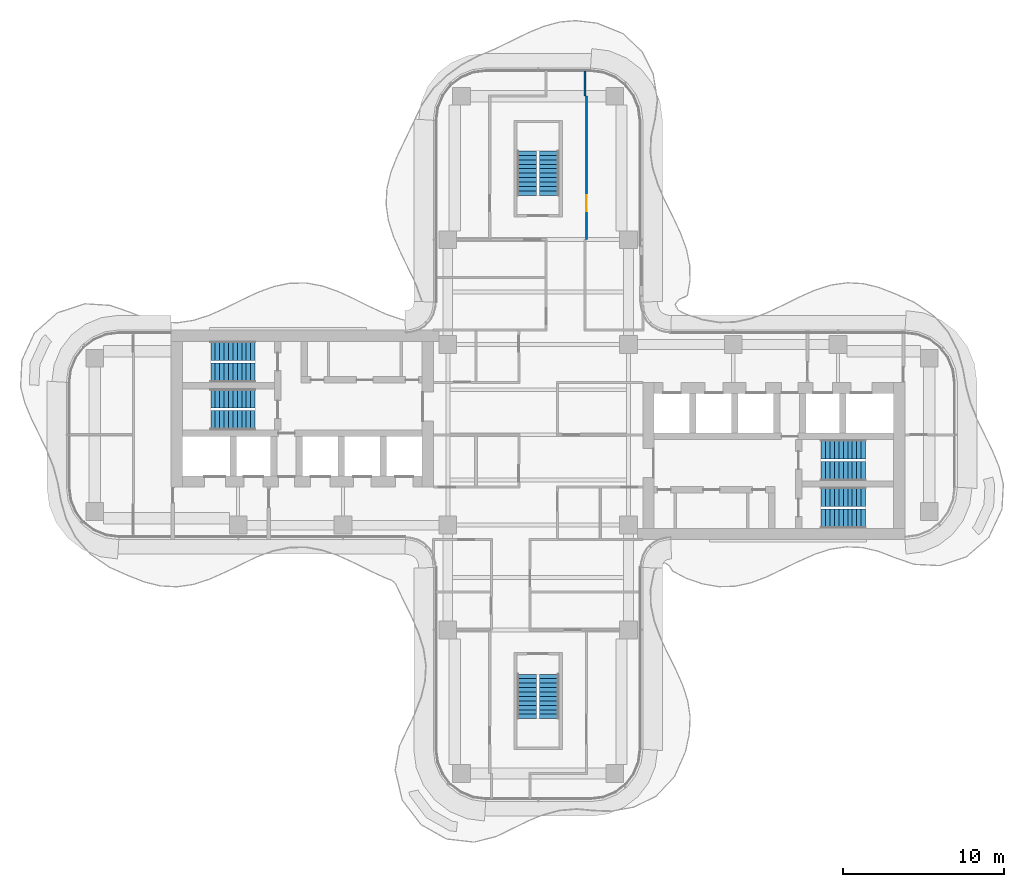
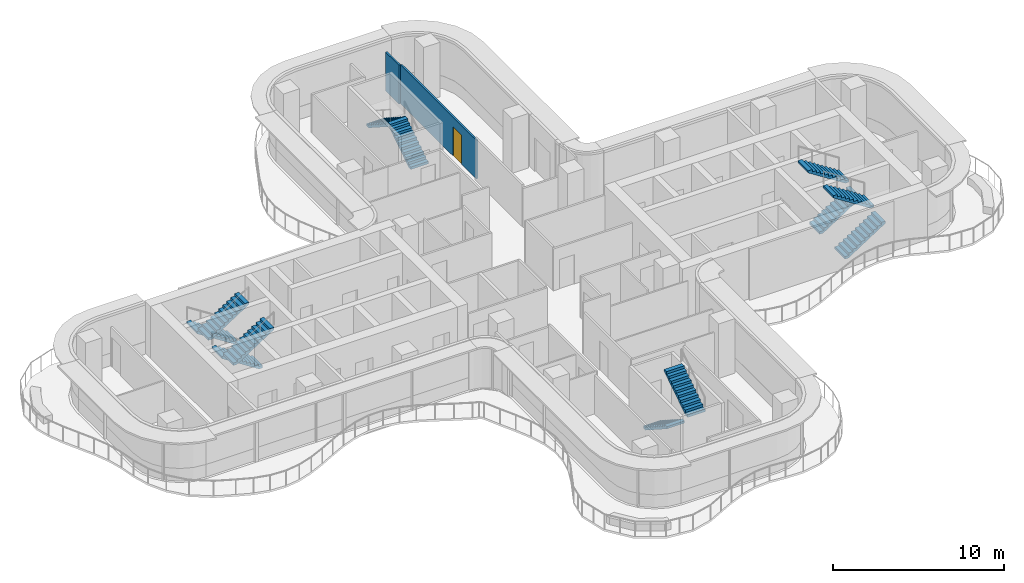
# One storey, part 15 of 17: 12 stair flights, 2 walls, 1 door, 1 opening, 6 elements without a shape of their own.
"""IFC4 building model written with IfcOpenShell, lengths in metres."""

from ifc_helpers import new_model, si_unit, direction, frame, frame_2d, origin, place, context, subcontext, project, spatial, polyline, rectangle, outline, extrude, source, transform, mapped, material, layer, layer_set, type_object, element, fill, aggregate, save


model = new_model("IFC4")

# Units and contexts
model_context = context("Model", 3, precision=1e-05, world=origin(), true_north=direction((0.0, 1.0)))
body_context = subcontext(model_context, "Body", "Model", "MODEL_VIEW")
ifc_project = project(units=[si_unit("LENGTHUNIT", "METRE"), si_unit("AREAUNIT", "SQUARE_METRE"), si_unit("VOLUMEUNIT", "CUBIC_METRE"), si_unit("PLANEANGLEUNIT", "RADIAN"), si_unit("MASSUNIT", "GRAM", prefix="KILO")], contexts=[model_context])

# Site, building, storey
site_placement = place(None, origin())
site = spatial("IfcSite", under=ifc_project, at=site_placement, CompositionType="ELEMENT")
building_placement = place(site_placement, origin())
building = spatial("IfcBuilding", under=site, at=building_placement, Name="Trellis Farm Tower", CompositionType="ELEMENT")
storey_placement = place(building_placement, frame((0.0, 0.0, 259.699951171875)))
storey = spatial("IfcBuildingStorey", under=building, at=storey_placement, Name="L58", CompositionType="ELEMENT", Elevation=259.699951171875)

# Wall
ifc_material_1 = material(Name="Plasterboard on steel studs, mineral wool", Category="steel")
ifc_layer = layer(ifc_material_1, 0.125)
ifc_layer_set = layer_set([ifc_layer], Name="PARTITION 125 STUD EI 60")
wall_type = type_object("IfcWallType", Name="PARTITION 125 STUD EI 60", PredefinedType="PARTITIONING", material=ifc_layer_set)
shared_shape_1 = source(origin(), body_context, "Body", "SweptSolid", [
    extrude(rectangle(XDim=1.550048828125, YDim=0.125, at=frame_2d((0.77490234375, 0.0))), origin(), (0.0, 0.0, 1.0), 2.780029296875),
])
wall_1_placement = place(storey_placement, frame((2.89990234375, 22.550048828125, 0.0), z_axis=(0.0, 0.0, 1.0), x_axis=(0.0, -1.0, 0.0)))
element("IfcWall", 1, at=wall_1_placement, inside=storey, type_object=wall_type, Name="Partition PW1", PredefinedType="PARTITIONING", context=body_context, shape_type="MappedRepresentation", body=[
    mapped(shared_shape_1, transform((0.0, 0.0, 0.0))),
])

# Wall, opening, door
shared_shape_2 = source(origin(), body_context, "Body", "SweptSolid", [
    extrude(rectangle(XDim=8.89990234375, YDim=0.125, at=frame_2d((4.449951171875, 0.0))), origin(), (0.0, 0.0, 1.0), 2.780029296875),
])
wall_2_placement = place(storey_placement, frame((3.0, 21.0, 0.0), z_axis=(0.0, 0.0, 1.0), x_axis=(0.0, -1.0, 0.0)))
wall_2 = element("IfcWall", 2, at=wall_2_placement, inside=storey, type_object=wall_type, Name="Partition PW1", PredefinedType="PARTITIONING", context=body_context, shape_type="MappedRepresentation", body=[
    mapped(shared_shape_2, transform((0.0, 0.0, 0.0))),
])
shared_shape_3 = source(origin(), body_context, "Body", "SweptSolid", [
    extrude(rectangle(XDim=1.0, YDim=2.10009765625, at=frame_2d((0.5, 1.050048828125))), frame((0.0, 0.072509765625, 0.0), z_axis=(0.0, -1.0, 0.0), x_axis=(1.0, 0.0, 0.0)), (0.0, 0.0, 1.0), 0.14501953125),
])
opening_placement = place(wall_2_placement, frame((6.14990234375, 0.0, 0.0)))
opening = element("IfcOpeningElement", 3, at=opening_placement, cuts=wall_2, Name="Opening D116", PredefinedType="OPENING", context=body_context, shape_type="MappedRepresentation", body=[
    mapped(shared_shape_3, transform((0.0, 0.0, 0.0))),
])
ifc_material_2 = material(Name="Fire-rated timber door leaf in a hollow metal frame", Category="wood")
door_type = type_object("IfcDoorType", Name="DOOR 1000x2100 FD30S", OperationType="NOTDEFINED", PredefinedType="DOOR", material=ifc_material_2)
shared_shape_4 = source(origin(), body_context, "Body", "SweptSolid", [
    extrude(rectangle(XDim=1.0, YDim=2.10009765625, at=frame_2d((0.5, 1.050048828125))), frame((0.0, 0.02490234375, 0.0), z_axis=(0.0, -1.0, 0.0), x_axis=(1.0, 0.0, 0.0)), (0.0, 0.0, 1.0), 0.050048828125),
])
door_placement = place(opening_placement, origin())
door = element("IfcDoor", 4, at=door_placement, inside=storey, type_object=door_type, Name="Door D116", OperationType="SINGLE_SWING_RIGHT", OverallHeight=2.10009765625, OverallWidth=1.0, PredefinedType="DOOR", context=body_context, shape_type="MappedRepresentation", body=[
    mapped(shared_shape_4, transform((0.0, 0.0, 0.0))),
])
fill(opening, door)

# Stair, stair flights
ifc_material_3 = material(Name="Concrete C50/60", Category="concrete")
stair_type = type_object("IfcStairType", Name="CORE EXIT STAIR 22 RISERS 177 MM", PredefinedType="HALF_TURN_STAIR", material=ifc_material_3)
placement = place(storey_placement, origin())
stair_1 = element("IfcStair", 5, at=placement, inside=storey, type_object=stair_type, Name="Exit stair N", PredefinedType="HALF_TURN_STAIR")
stair_flight_type = type_object("IfcStairFlightType", Name="STAIR FLIGHT 11 RISERS 177 MM", PredefinedType="STRAIGHT", material=ifc_material_3)
shared_shape_5 = source(origin(), body_context, "Body", "SweptSolid", [
    extrude(outline(polyline([(0.0, 0.0), (0.0, 0.17724609375), (0.27490234375, 0.17724609375), (0.27490234375, 0.3544921875), (0.550048828125, 0.3544921875), (0.550048828125, 0.53173828125), (0.824951171875, 0.53173828125), (0.824951171875, 0.708984375), (1.10009765625, 0.708984375), (1.10009765625, 0.886474609375), (1.375, 0.886474609375), (1.375, 1.063720703125), (1.64990234375, 1.063720703125), (1.64990234375, 1.240966796875), (1.925048828125, 1.240966796875), (1.925048828125, 1.418212890625), (2.199951171875, 1.418212890625), (2.199951171875, 1.595458984375), (2.47509765625, 1.595458984375), (2.47509765625, 1.772705078125), (2.75, 1.772705078125), (2.75, 1.949951171875), (2.75, 1.6181640625), (0.23974609375, 0.0), (0.0, 0.0)])), frame((0.0, 0.60009765625, 0.0), z_axis=(0.0, -1.0, 0.0), x_axis=(1.0, 0.0, 0.0)), (0.0, 0.0, 1.0), 1.199951171875),
])
stair_flight_1_placement = place(storey_placement, frame((0.699951171875, 14.85009765625, 0.0), z_axis=(0.0, 0.0, 1.0), x_axis=(0.0, 1.0, 0.0)))
stair_flight_1 = element("IfcStairFlight", 6, at=stair_flight_1_placement, type_object=stair_flight_type, Name="STN flight 1", NumberOfRisers=11, NumberOfTreads=10, PredefinedType="STRAIGHT", RiserHeight=0.177272727, TreadLength=0.275, context=body_context, shape_type="MappedRepresentation", body=[
    mapped(shared_shape_5, transform((0.0, 0.0, 0.0))),
])
stair_flight_2_placement = place(storey_placement, frame((-0.699951171875, 17.60009765625, 1.949951171875), z_axis=(0.0, 0.0, 1.0), x_axis=(0.0, -1.0, 0.0)))
stair_flight_2 = element("IfcStairFlight", 7, at=stair_flight_2_placement, type_object=stair_flight_type, Name="STN flight 2", NumberOfRisers=11, NumberOfTreads=10, PredefinedType="STRAIGHT", RiserHeight=0.177272727, TreadLength=0.275, context=body_context, shape_type="MappedRepresentation", body=[
    mapped(shared_shape_5, transform((0.0, 0.0, 0.0))),
])
aggregate(stair_1, [stair_flight_1, stair_flight_2])

stair_2 = element("IfcStair", 8, at=placement, inside=storey, type_object=stair_type, Name="Exit stair S", PredefinedType="HALF_TURN_STAIR")
stair_flight_3_placement = place(storey_placement, frame((-0.699951171875, -14.85009765625, 0.0), z_axis=(0.0, 0.0, 1.0), x_axis=(0.0, -1.0, 0.0)))
stair_flight_3 = element("IfcStairFlight", 9, at=stair_flight_3_placement, type_object=stair_flight_type, Name="STS flight 1", NumberOfRisers=11, NumberOfTreads=10, PredefinedType="STRAIGHT", RiserHeight=0.177272727, TreadLength=0.275, context=body_context, shape_type="MappedRepresentation", body=[
    mapped(shared_shape_5, transform((0.0, 0.0, 0.0))),
])
stair_flight_4_placement = place(storey_placement, frame((0.699951171875, -17.60009765625, 1.949951171875), z_axis=(0.0, 0.0, 1.0), x_axis=(0.0, 1.0, 0.0)))
stair_flight_4 = element("IfcStairFlight", 10, at=stair_flight_4_placement, type_object=stair_flight_type, Name="STS flight 2", NumberOfRisers=11, NumberOfTreads=10, PredefinedType="STRAIGHT", RiserHeight=0.177272727, TreadLength=0.275, context=body_context, shape_type="MappedRepresentation", body=[
    mapped(shared_shape_5, transform((0.0, 0.0, 0.0))),
])
aggregate(stair_2, [stair_flight_3, stair_flight_4])

stair_3 = element("IfcStair", 11, at=placement, inside=storey, type_object=stair_type, Name="Exit stair E1", PredefinedType="HALF_TURN_STAIR")
stair_flight_5_placement = place(storey_placement, frame((17.550048828125, -5.199951171875, 0.0), z_axis=(0.0, 0.0, 1.0), x_axis=(1.0, 0.0, 0.0)))
stair_flight_5 = element("IfcStairFlight", 12, at=stair_flight_5_placement, type_object=stair_flight_type, Name="STE1 flight 1", NumberOfRisers=11, NumberOfTreads=10, PredefinedType="STRAIGHT", RiserHeight=0.177272727, TreadLength=0.275, context=body_context, shape_type="MappedRepresentation", body=[
    mapped(shared_shape_5, transform((0.0, 0.0, 0.0))),
])
stair_flight_6_placement = place(storey_placement, frame((20.300048828125, -3.85009765625, 1.949951171875), z_axis=(0.0, 0.0, 1.0), x_axis=(-1.0, 0.0, 0.0)))
stair_flight_6 = element("IfcStairFlight", 13, at=stair_flight_6_placement, type_object=stair_flight_type, Name="STE1 flight 2", NumberOfRisers=11, NumberOfTreads=10, PredefinedType="STRAIGHT", RiserHeight=0.177272727, TreadLength=0.275, context=body_context, shape_type="MappedRepresentation", body=[
    mapped(shared_shape_5, transform((0.0, 0.0, 0.0))),
])
aggregate(stair_3, [stair_flight_5, stair_flight_6])

stair_4 = element("IfcStair", 14, at=placement, inside=storey, type_object=stair_type, Name="Exit stair E2", PredefinedType="HALF_TURN_STAIR")
stair_flight_7_placement = place(storey_placement, frame((17.550048828125, -2.25, 0.0), z_axis=(0.0, 0.0, 1.0), x_axis=(1.0, 0.0, 0.0)))
stair_flight_7 = element("IfcStairFlight", 15, at=stair_flight_7_placement, type_object=stair_flight_type, Name="STE2 flight 1", NumberOfRisers=11, NumberOfTreads=10, PredefinedType="STRAIGHT", RiserHeight=0.177272727, TreadLength=0.275, context=body_context, shape_type="MappedRepresentation", body=[
    mapped(shared_shape_5, transform((0.0, 0.0, 0.0))),
])
stair_flight_8_placement = place(storey_placement, frame((20.300048828125, -0.89990234375, 1.949951171875), z_axis=(0.0, 0.0, 1.0), x_axis=(-1.0, 0.0, 0.0)))
stair_flight_8 = element("IfcStairFlight", 16, at=stair_flight_8_placement, type_object=stair_flight_type, Name="STE2 flight 2", NumberOfRisers=11, NumberOfTreads=10, PredefinedType="STRAIGHT", RiserHeight=0.177272727, TreadLength=0.275, context=body_context, shape_type="MappedRepresentation", body=[
    mapped(shared_shape_5, transform((0.0, 0.0, 0.0))),
])
aggregate(stair_4, [stair_flight_7, stair_flight_8])

stair_5 = element("IfcStair", 17, at=placement, inside=storey, type_object=stair_type, Name="Exit stair W1", PredefinedType="HALF_TURN_STAIR")
stair_flight_9_placement = place(storey_placement, frame((-17.550048828125, 5.199951171875, 0.0), z_axis=(0.0, 0.0, 1.0), x_axis=(-1.0, 0.0, 0.0)))
stair_flight_9 = element("IfcStairFlight", 18, at=stair_flight_9_placement, type_object=stair_flight_type, Name="STW1 flight 1", NumberOfRisers=11, NumberOfTreads=10, PredefinedType="STRAIGHT", RiserHeight=0.177272727, TreadLength=0.275, context=body_context, shape_type="MappedRepresentation", body=[
    mapped(shared_shape_5, transform((0.0, 0.0, 0.0))),
])
stair_flight_10_placement = place(storey_placement, frame((-20.300048828125, 3.85009765625, 1.949951171875), z_axis=(0.0, 0.0, 1.0), x_axis=(1.0, 0.0, 0.0)))
stair_flight_10 = element("IfcStairFlight", 19, at=stair_flight_10_placement, type_object=stair_flight_type, Name="STW1 flight 2", NumberOfRisers=11, NumberOfTreads=10, PredefinedType="STRAIGHT", RiserHeight=0.177272727, TreadLength=0.275, context=body_context, shape_type="MappedRepresentation", body=[
    mapped(shared_shape_5, transform((0.0, 0.0, 0.0))),
])
aggregate(stair_5, [stair_flight_9, stair_flight_10])

stair_6 = element("IfcStair", 20, at=placement, inside=storey, type_object=stair_type, Name="Exit stair W2", PredefinedType="HALF_TURN_STAIR")
stair_flight_11_placement = place(storey_placement, frame((-17.550048828125, 2.25, 0.0), z_axis=(0.0, 0.0, 1.0), x_axis=(-1.0, 0.0, 0.0)))
stair_flight_11 = element("IfcStairFlight", 21, at=stair_flight_11_placement, type_object=stair_flight_type, Name="STW2 flight 1", NumberOfRisers=11, NumberOfTreads=10, PredefinedType="STRAIGHT", RiserHeight=0.177272727, TreadLength=0.275, context=body_context, shape_type="MappedRepresentation", body=[
    mapped(shared_shape_5, transform((0.0, 0.0, 0.0))),
])
stair_flight_12_placement = place(storey_placement, frame((-20.300048828125, 0.89990234375, 1.949951171875), z_axis=(0.0, 0.0, 1.0), x_axis=(1.0, 0.0, 0.0)))
stair_flight_12 = element("IfcStairFlight", 22, at=stair_flight_12_placement, type_object=stair_flight_type, Name="STW2 flight 2", NumberOfRisers=11, NumberOfTreads=10, PredefinedType="STRAIGHT", RiserHeight=0.177272727, TreadLength=0.275, context=body_context, shape_type="MappedRepresentation", body=[
    mapped(shared_shape_5, transform((0.0, 0.0, 0.0))),
])
aggregate(stair_6, [stair_flight_11, stair_flight_12])

save(model, "model.ifc")
